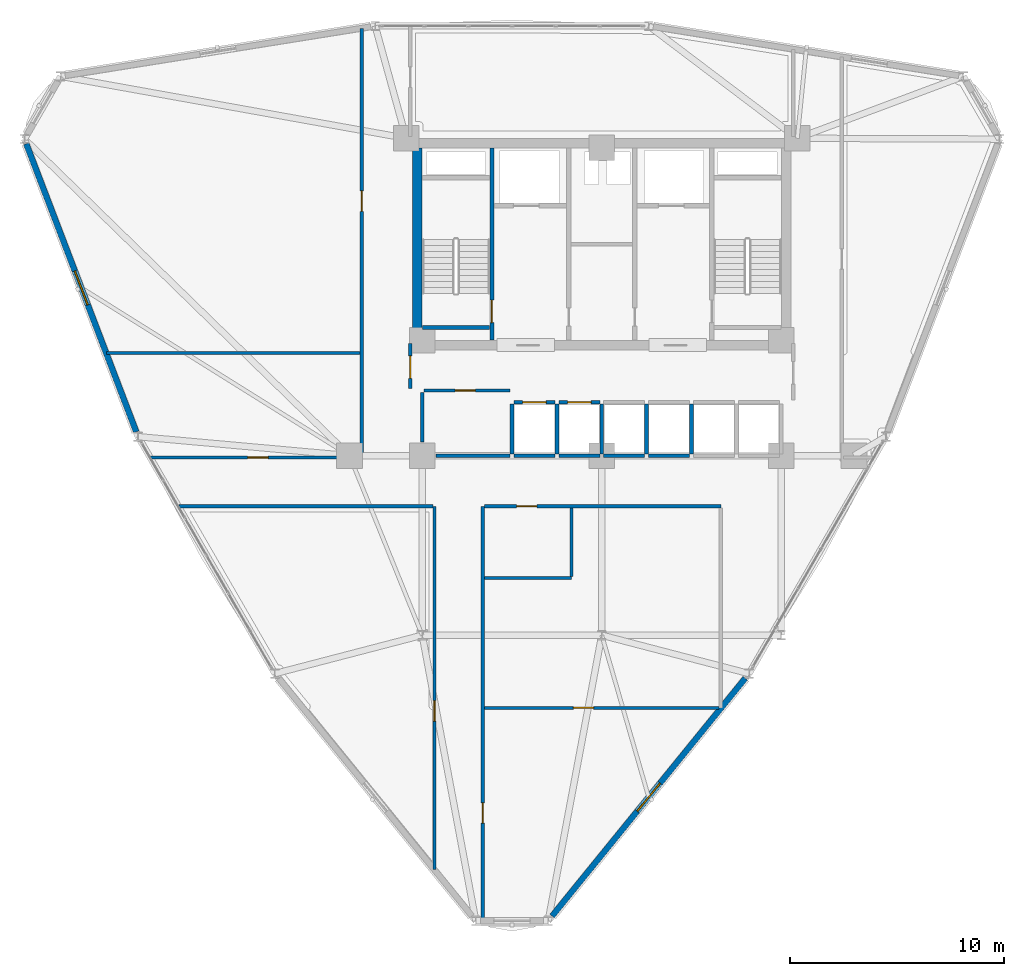
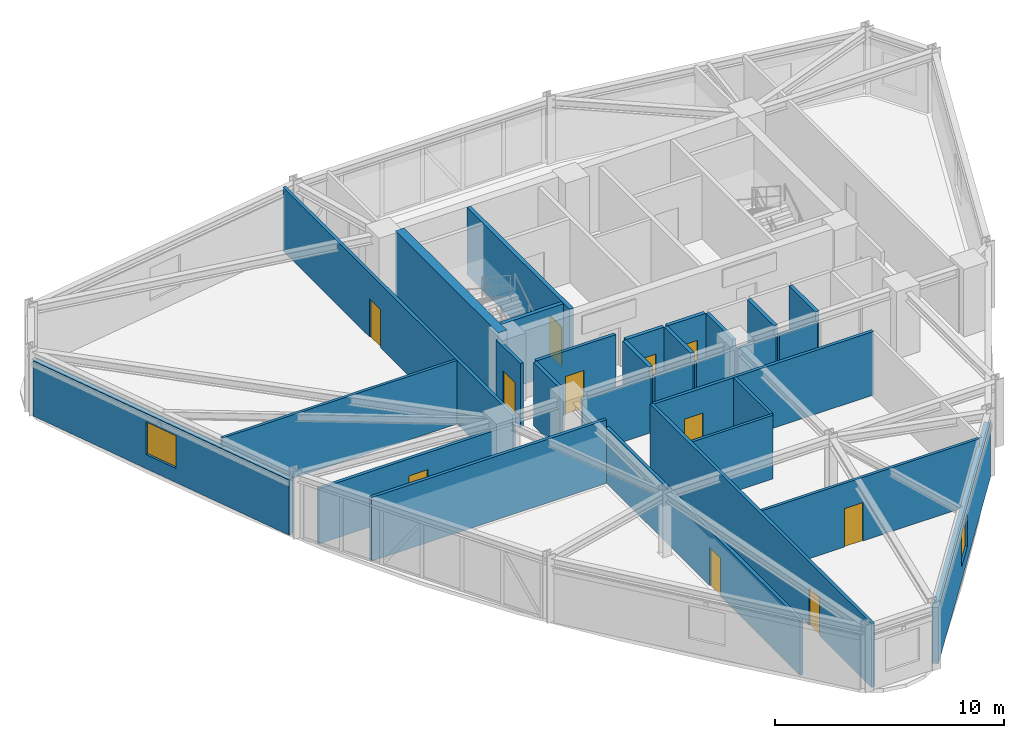
# One storey, part 10 of 15: 30 walls, 11 doors, 2 windows, 13 openings.
"""IFC4 building model written with IfcOpenShell, lengths in metres."""

from ifc_helpers import new_model, si_unit, derived_unit, direction, frame, frame_2d, origin, place, context, subcontext, project, spatial, rectangle, extrude, material, layer, layer_set, type_object, element, fill, save


model = new_model("IFC4")

# Units and contexts
model_context = context("Model", 3, precision=1e-05, world=origin(), true_north=direction((0.0, 1.0)))
body_context = subcontext(model_context, "Body", "Model", "MODEL_VIEW")
ifc_project = project(units=[si_unit("LENGTHUNIT", "METRE"), si_unit("AREAUNIT", "SQUARE_METRE"), si_unit("VOLUMEUNIT", "CUBIC_METRE"), si_unit("PLANEANGLEUNIT", "RADIAN"), si_unit("MASSUNIT", "GRAM", prefix="KILO"), derived_unit("THERMALTRANSMITTANCEUNIT", [(si_unit("POWERUNIT", "WATT"), 1), (si_unit("LENGTHUNIT", "METRE"), -2), (si_unit("THERMODYNAMICTEMPERATUREUNIT", "KELVIN"), -1)])], contexts=[model_context])

# Site, building, storey
site_placement = place(None, origin())
site = spatial("IfcSite", under=ifc_project, at=site_placement, CompositionType="ELEMENT")
building_placement = place(site_placement, origin())
building = spatial("IfcBuilding", under=site, at=building_placement, Name="Korsvarv Bourse and Concert Hall", CompositionType="ELEMENT")
storey_placement = place(building_placement, frame((0.0, 0.0, 157.800048828125)))
storey = spatial("IfcBuildingStorey", under=building, at=storey_placement, Name="L40", CompositionType="ELEMENT", Elevation=157.800048828125)

# Wall, opening, door
ifc_material_1 = material(Name="Concrete C50/60", Category="concrete")
ifc_layer_1 = layer(ifc_material_1, 0.3798828125)
ifc_layer_set_1 = layer_set([ifc_layer_1], Name="Concrete C50/60")
wall_type_1 = type_object("IfcWallType", Name="WL-CORE-380", PredefinedType="SHEAR", material=ifc_layer_set_1)
wall_1_placement = place(storey_placement, frame((30.860107421875, 37.81005859375, 0.0), z_axis=(0.0, 0.0, 1.0), x_axis=(0.0, 1.0, 0.0)))
wall_1 = element("IfcWall", 1, at=wall_1_placement, inside=storey, type_object=wall_type_1, Name="L40 stair shaft structural wall W-L40-ST1-E", PredefinedType="SHEAR", context=body_context, shape_type="SweptSolid", body=[
    extrude(rectangle(XDim=8.97998046875, YDim=0.199951171875, at=frame_2d((4.489990234375, 0.0))), origin(), (0.0, 0.0, 1.0), 3.599853515625),
])
opening_1_placement = place(wall_1_placement, frame((0.820068359375, 0.0, 0.0)))
opening_1 = element("IfcOpeningElement", 2, at=opening_1_placement, cuts=wall_1, Name="Opening D-01", PredefinedType="OPENING", context=body_context, shape_type="SweptSolid", body=[
    extrude(rectangle(XDim=1.050048828125, YDim=2.10009765625, at=frame_2d((0.52490234375, 1.050048828125))), frame((0.0, 0.10986328125, 0.0), z_axis=(0.0, -1.0, 0.0), x_axis=(1.0, 0.0, 0.0)), (0.0, 0.0, 1.0), 0.219970703125),
])
ifc_material_2 = material(Name="Steel S355 fire door", Category="steel")
door_type_1 = type_object("IfcDoorType", Name="DR-FD60", OperationType="NOTDEFINED", PredefinedType="DOOR", material=ifc_material_2)
door_1_placement = place(opening_1_placement, origin())
door_1 = element("IfcDoor", 3, at=door_1_placement, inside=storey, type_object=door_type_1, Name="L40 interior door DR-L40-ST1", OperationType="SINGLE_SWING_LEFT", OverallHeight=2.10009765625, OverallWidth=1.050048828125, PredefinedType="DOOR", context=body_context, shape_type="SweptSolid", body=[
    extrude(rectangle(XDim=1.050048828125, YDim=2.10009765625, at=frame_2d((0.52490234375, 1.050048828125))), frame((0.0, 0.02490234375, 0.0), z_axis=(0.0, -1.0, 0.0), x_axis=(1.0, 0.0, 0.0)), (0.0, 0.0, 1.0), 0.050048828125),
])
fill(opening_1, door_1)

# Walls
wall_2_placement = place(storey_placement, frame((27.610107421875, 38.39990234375, 0.0), z_axis=(0.0, 0.0, 1.0), x_axis=(1.0, 0.0, 0.0)))
element("IfcWall", 4, at=wall_2_placement, inside=storey, type_object=wall_type_1, Name="L40 stair shaft structural wall W-L40-ST1-S", PredefinedType="SHEAR", context=body_context, shape_type="SweptSolid", body=[
    extrude(rectangle(XDim=3.139892578125, YDim=0.199951171875, at=frame_2d((1.56982421875, 0.0))), origin(), (0.0, 0.0, 1.0), 3.599853515625),
])
ifc_material_3 = material(Name="Concrete C55/67", Category="concrete")
ifc_layer_2 = layer(ifc_material_3, 0.449951171875)
ifc_layer_set_2 = layer_set([ifc_layer_2], Name="Concrete C55/67")
wall_type_2 = type_object("IfcWallType", Name="WL-CORE-450", PredefinedType="SHEAR", material=ifc_layer_set_2)
wall_3_placement = place(storey_placement, frame((27.375, 37.800048828125, 0.0), z_axis=(0.0, 0.0, 1.0), x_axis=(0.0, 1.0, 0.0)))
element("IfcWall", 5, at=wall_3_placement, inside=storey, type_object=wall_type_2, Name="L40 West Core Shear Wall", PredefinedType="SHEAR", context=body_context, shape_type="SweptSolid", body=[
    extrude(rectangle(XDim=9.0, YDim=0.449951171875, at=frame_2d((4.5, 0.0))), origin(), (0.0, 0.0, 1.0), 3.599853515625),
])

# Wall, opening, window
ifc_material_4 = material(Name="Precast concrete C45/55 with fluted terracotta pier", Category="concrete")
ifc_layer_3 = layer(ifc_material_4, 0.280029296875)
ifc_layer_set_3 = layer_set([ifc_layer_3], Name="Precast concrete C45/55 with fluted terracotta pier")
wall_type_3 = type_object("IfcWallType", Name="WL-EXT-TC2", PredefinedType="SOLIDWALL", material=ifc_layer_set_3)
wall_4_placement = place(storey_placement, frame((9.07080078125, 46.991455078125, 0.0), z_axis=(0.0, 0.0, 1.0), x_axis=(0.356763590825, -0.934194701474, 0.0)))
wall_4 = element("IfcWall", 6, at=wall_4_placement, inside=storey, type_object=wall_type_3, Name="L40 terracotta exterior wall EW-L40-B06", PredefinedType="SOLIDWALL", context=body_context, shape_type="SweptSolid", body=[
    extrude(rectangle(XDim=14.42822265625, YDim=0.280029296875, at=frame_2d((7.214111328125, 0.0))), origin(), (0.0, 0.0, 1.0), 2.949951171875),
])
opening_2_placement = place(wall_4_placement, frame((6.364013671875, 0.0, 0.75)))
opening_2 = element("IfcOpeningElement", 7, at=opening_2_placement, cuts=wall_4, Name="Opening W-01", PredefinedType="OPENING", context=body_context, shape_type="SweptSolid", body=[
    extrude(rectangle(XDim=1.699951171875, YDim=1.75, at=frame_2d((0.85009765625, 0.875))), frame((0.0, 0.14990234375, 0.0), z_axis=(0.0, -1.0, 0.0), x_axis=(1.0, 0.0, 0.0)), (0.0, 0.0, 1.0), 0.300048828125),
])
ifc_material_5 = material(Name="Thermally broken aluminium frame with triple low-E glass", Category="glass")
window_type = type_object("IfcWindowType", Name="WIN-TW1", PartitioningType="SINGLE_PANEL", PredefinedType="WINDOW", material=ifc_material_5)
window_1_placement = place(opening_2_placement, origin())
window_1 = element("IfcWindow", 8, at=window_1_placement, inside=storey, type_object=window_type, Name="L40 punched facade window W-01", OverallHeight=1.75, OverallWidth=1.699951171875, PartitioningType="SINGLE_PANEL", PredefinedType="WINDOW", context=body_context, shape_type="SweptSolid", body=[
    extrude(rectangle(XDim=1.699951171875, YDim=1.75, at=frame_2d((0.85009765625, 0.875))), frame((0.0, 0.030029296875, 0.0), z_axis=(0.0, -1.0, 0.0), x_axis=(1.0, 0.0, 0.0)), (0.0, 0.0, 1.0), 0.06005859375),
])
fill(opening_2, window_1)

wall_5_placement = place(storey_placement, frame((33.676513671875, 10.85791015625, 0.0), z_axis=(0.0, 0.0, 1.0), x_axis=(0.630649703469, 0.776067620452, 0.0)))
wall_5 = element("IfcWall", 9, at=wall_5_placement, inside=storey, type_object=wall_type_3, Name="L40 terracotta exterior wall EW-L40-B10", PredefinedType="SOLIDWALL", context=body_context, shape_type="SweptSolid", body=[
    extrude(rectangle(XDim=14.3310546875, YDim=0.280029296875, at=frame_2d((7.16552734375, 0.0))), origin(), (0.0, 0.0, 1.0), 3.0),
])
opening_3_placement = place(wall_5_placement, frame((6.315673828125, 0.0, 0.75)))
opening_3 = element("IfcOpeningElement", 10, at=opening_3_placement, cuts=wall_5, Name="Opening W-01", PredefinedType="OPENING", context=body_context, shape_type="SweptSolid", body=[
    extrude(rectangle(XDim=1.699951171875, YDim=1.75, at=frame_2d((0.85009765625, 0.875))), frame((0.0, 0.14990234375, 0.0), z_axis=(0.0, -1.0, 0.0), x_axis=(1.0, 0.0, 0.0)), (0.0, 0.0, 1.0), 0.300048828125),
])
window_2_placement = place(opening_3_placement, origin())
window_2 = element("IfcWindow", 11, at=window_2_placement, inside=storey, type_object=window_type, Name="L40 punched facade window W-01", OverallHeight=1.75, OverallWidth=1.699951171875, PartitioningType="SINGLE_PANEL", PredefinedType="WINDOW", context=body_context, shape_type="SweptSolid", body=[
    extrude(rectangle(XDim=1.699951171875, YDim=1.75, at=frame_2d((0.85009765625, 0.875))), frame((0.0, 0.030029296875, 0.0), z_axis=(0.0, -1.0, 0.0), x_axis=(1.0, 0.0, 0.0)), (0.0, 0.0, 1.0), 0.06005859375),
])
fill(opening_3, window_2)

# Walls
ifc_material_6 = material(Name="Double-stud fire-rated acoustic partition", Category="gypsum")
ifc_layer_4 = layer(ifc_material_6, 0.159912109375)
ifc_layer_set_4 = layer_set([ifc_layer_4], Name="Double-stud fire-rated acoustic partition")
wall_type_4 = type_object("IfcWallType", Name="WL-INT-EI60", PredefinedType="PARTITIONING", material=ifc_layer_set_4)
wall_6_placement = place(storey_placement, frame((28.25, 32.39990234375, 0.0), z_axis=(0.0, 0.0, 1.0), x_axis=(1.0, 0.0, 0.0)))
element("IfcWall", 12, at=wall_6_placement, inside=storey, type_object=wall_type_4, Name="L40 interior partition wall W-L40-FRD-S", PredefinedType="PARTITIONING", context=body_context, shape_type="SweptSolid", body=[
    extrude(rectangle(XDim=3.449951171875, YDim=0.159912109375, at=frame_2d((1.72509765625, 0.0))), origin(), (0.0, 0.0, 1.0), 2.949951171875),
])
wall_7_placement = place(storey_placement, frame((27.60009765625, 33.050048828125, 0.0), z_axis=(0.0, 0.0, 1.0), x_axis=(0.0, 1.0, 0.0)))
element("IfcWall", 13, at=wall_7_placement, inside=storey, type_object=wall_type_4, Name="L40 interior partition wall W-L40-FRD-W", PredefinedType="PARTITIONING", context=body_context, shape_type="SweptSolid", body=[
    extrude(rectangle(XDim=2.31005859375, YDim=0.159912109375, at=frame_2d((1.155029296875, 0.0))), origin(), (0.0, 0.0, 1.0), 3.39990234375),
])

# Wall, opening, door
wall_8_placement = place(storey_placement, frame((27.68994140625, 35.449951171875, 0.0), z_axis=(0.0, 0.0, 1.0), x_axis=(1.0, 0.0, 0.0)))
wall_8 = element("IfcWall", 14, at=wall_8_placement, inside=storey, type_object=wall_type_4, Name="L40 interior partition wall W-L40-FRD-N", PredefinedType="PARTITIONING", context=body_context, shape_type="SweptSolid", body=[
    extrude(rectangle(XDim=4.010009765625, YDim=0.159912109375, at=frame_2d((2.0048828125, 0.0))), origin(), (0.0, 0.0, 1.0), 3.39990234375),
])
opening_4_placement = place(wall_8_placement, frame((1.449951171875, 0.0, 0.0)))
opening_4 = element("IfcOpeningElement", 15, at=opening_4_placement, cuts=wall_8, Name="Opening D-03", PredefinedType="OPENING", context=body_context, shape_type="SweptSolid", body=[
    extrude(rectangle(XDim=0.949951171875, YDim=2.050048828125, at=frame_2d((0.47509765625, 1.02490234375))), frame((0.0, 0.08984375, 0.0), z_axis=(0.0, -1.0, 0.0), x_axis=(1.0, 0.0, 0.0)), (0.0, 0.0, 1.0), 0.179931640625),
])
ifc_material_7 = material(Name="Nordic oak acoustic office door", Category="wood")
door_type_2 = type_object("IfcDoorType", Name="DR-INT-1", OperationType="NOTDEFINED", PredefinedType="DOOR", material=ifc_material_7)
door_2_placement = place(opening_4_placement, origin())
door_2 = element("IfcDoor", 16, at=door_2_placement, inside=storey, type_object=door_type_2, Name="L40 interior door DR-L40-FRDN1", OperationType="SINGLE_SWING_LEFT", OverallHeight=2.050048828125, OverallWidth=0.949951171875, PredefinedType="DOOR", context=body_context, shape_type="SweptSolid", body=[
    extrude(rectangle(XDim=0.949951171875, YDim=2.050048828125, at=frame_2d((0.47509765625, 1.02490234375))), frame((0.0, 0.02490234375, 0.0), z_axis=(0.0, -1.0, 0.0), x_axis=(1.0, 0.0, 0.0)), (0.0, 0.0, 1.0), 0.050048828125),
])
fill(opening_4, door_2)

wall_9_placement = place(storey_placement, frame((27.0400390625, 35.5400390625, 0.0), z_axis=(0.0, 0.0, 1.0), x_axis=(0.0, 1.0, 0.0)))
wall_9 = element("IfcWall", 17, at=wall_9_placement, inside=storey, type_object=wall_type_4, Name="L40 interior partition wall W-L40-LOB-WL", PredefinedType="PARTITIONING", context=body_context, shape_type="SweptSolid", body=[
    extrude(rectangle(XDim=2.10986328125, YDim=0.159912109375, at=frame_2d((1.054931640625, 0.0))), origin(), (0.0, 0.0, 1.0), 3.39990234375),
])
opening_5_placement = place(wall_9_placement, frame((0.47998046875, 0.0, 0.0)))
opening_5 = element("IfcOpeningElement", 18, at=opening_5_placement, cuts=wall_9, Name="Opening D-01", PredefinedType="OPENING", context=body_context, shape_type="SweptSolid", body=[
    extrude(rectangle(XDim=1.050048828125, YDim=2.10009765625, at=frame_2d((0.52490234375, 1.050048828125))), frame((0.0, 0.08984375, 0.0), z_axis=(0.0, -1.0, 0.0), x_axis=(1.0, 0.0, 0.0)), (0.0, 0.0, 1.0), 0.179931640625),
])
door_3_placement = place(opening_5_placement, frame((1.050048828125, 0.0, 0.0), z_axis=(0.0, 0.0, 1.0), x_axis=(-1.0, 0.0, 0.0)))
door_3 = element("IfcDoor", 19, at=door_3_placement, inside=storey, type_object=door_type_1, Name="L40 interior door DR-L40-LOBW", OperationType="SINGLE_SWING_RIGHT", OverallHeight=2.10009765625, OverallWidth=1.050048828125, PredefinedType="DOOR", context=body_context, shape_type="SweptSolid", body=[
    extrude(rectangle(XDim=1.050048828125, YDim=2.10009765625, at=frame_2d((0.52490234375, 1.050048828125))), frame((0.0, 0.02490234375, 0.0), z_axis=(0.0, -1.0, 0.0), x_axis=(1.0, 0.0, 0.0)), (0.0, 0.0, 1.0), 0.050048828125),
])
fill(opening_5, door_3)

wall_10_placement = place(storey_placement, frame((24.77490234375, 32.31005859375, 0.0), z_axis=(0.0, 0.0, 1.0), x_axis=(0.0, 1.0, 0.0)))
wall_10 = element("IfcWall", 20, at=wall_10_placement, inside=storey, type_object=wall_type_4, Name="L40 interior partition wall W-L40-TCOR-01", PredefinedType="PARTITIONING", context=body_context, shape_type="SweptSolid", body=[
    extrude(rectangle(XDim=20.07763671875, YDim=0.159912109375, at=frame_2d((10.038818359375, 0.0))), origin(), (0.0, 0.0, 1.0), 3.39990234375),
])
opening_6_placement = place(wall_10_placement, frame((11.525390625, 0.0, 0.0)))
opening_6 = element("IfcOpeningElement", 21, at=opening_6_placement, cuts=wall_10, Name="Opening D-02", PredefinedType="OPENING", context=body_context, shape_type="SweptSolid", body=[
    extrude(rectangle(XDim=0.949951171875, YDim=2.050048828125, at=frame_2d((0.47509765625, 1.02490234375))), frame((0.0, 0.08984375, 0.0), z_axis=(0.0, -1.0, 0.0), x_axis=(1.0, 0.0, 0.0)), (0.0, 0.0, 1.0), 0.179931640625),
])
ifc_material_8 = material(Name="Timber and steel acoustic fire door", Category="wood")
door_type_3 = type_object("IfcDoorType", Name="DR-FD30", OperationType="NOTDEFINED", PredefinedType="DOOR", material=ifc_material_8)
door_4_placement = place(opening_6_placement, origin())
door_4 = element("IfcDoor", 22, at=door_4_placement, inside=storey, type_object=door_type_3, Name="L40 interior door DR-L40-TCOR-S067", OperationType="SINGLE_SWING_RIGHT", OverallHeight=2.050048828125, OverallWidth=0.949951171875, PredefinedType="DOOR", context=body_context, shape_type="SweptSolid", body=[
    extrude(rectangle(XDim=0.949951171875, YDim=2.050048828125, at=frame_2d((0.47509765625, 1.02490234375))), frame((0.0, 0.02490234375, 0.0), z_axis=(0.0, -1.0, 0.0), x_axis=(1.0, 0.0, 0.0)), (0.0, 0.0, 1.0), 0.050048828125),
])
fill(opening_6, door_4)

wall_11_placement = place(storey_placement, frame((30.425048828125, 10.6552734375, 0.0), z_axis=(0.0, 0.0, 1.0), x_axis=(0.0, 1.0, 0.0)))
wall_11 = element("IfcWall", 23, at=wall_11_placement, inside=storey, type_object=wall_type_4, Name="L40 interior partition wall W-L40-TCOR-02", PredefinedType="PARTITIONING", context=body_context, shape_type="SweptSolid", body=[
    extrude(rectangle(XDim=19.374755859375, YDim=0.159912109375, at=frame_2d((9.6875, 0.0))), origin(), (0.0, 0.0, 1.0), 3.39990234375),
])
opening_7_placement = place(wall_11_placement, frame((4.552490234375, 0.0, 0.0)))
opening_7 = element("IfcOpeningElement", 24, at=opening_7_placement, cuts=wall_11, Name="Opening D-02", PredefinedType="OPENING", context=body_context, shape_type="SweptSolid", body=[
    extrude(rectangle(XDim=0.949951171875, YDim=2.050048828125, at=frame_2d((0.47509765625, 1.02490234375))), frame((0.0, 0.08984375, 0.0), z_axis=(0.0, -1.0, 0.0), x_axis=(1.0, 0.0, 0.0)), (0.0, 0.0, 1.0), 0.179931640625),
])
door_5_placement = place(opening_7_placement, origin())
door_5 = element("IfcDoor", 25, at=door_5_placement, inside=storey, type_object=door_type_3, Name="L40 interior door DR-L40-TCOR-S023", OperationType="SINGLE_SWING_LEFT", OverallHeight=2.050048828125, OverallWidth=0.949951171875, PredefinedType="DOOR", context=body_context, shape_type="SweptSolid", body=[
    extrude(rectangle(XDim=0.949951171875, YDim=2.050048828125, at=frame_2d((0.47509765625, 1.02490234375))), frame((0.0, 0.02490234375, 0.0), z_axis=(0.0, -1.0, 0.0), x_axis=(1.0, 0.0, 0.0)), (0.0, 0.0, 1.0), 0.050048828125),
])
fill(opening_7, door_5)

wall_12_placement = place(storey_placement, frame((28.175048828125, 13.029541015625, 0.0), z_axis=(0.0, 0.0, 1.0), x_axis=(0.0, 1.0, 0.0)))
wall_12 = element("IfcWall", 26, at=wall_12_placement, inside=storey, type_object=wall_type_4, Name="L40 interior partition wall W-L40-TCOR-04", PredefinedType="PARTITIONING", context=body_context, shape_type="SweptSolid", body=[
    extrude(rectangle(XDim=17.00048828125, YDim=0.159912109375, at=frame_2d((8.500244140625, 0.0))), origin(), (0.0, 0.0, 1.0), 2.949951171875),
])
opening_8_placement = place(wall_12_placement, frame((6.955078125, 0.0, 0.0)))
opening_8 = element("IfcOpeningElement", 27, at=opening_8_placement, cuts=wall_12, Name="Opening D-02", PredefinedType="OPENING", context=body_context, shape_type="SweptSolid", body=[
    extrude(rectangle(XDim=0.949951171875, YDim=2.050048828125, at=frame_2d((0.47509765625, 1.02490234375))), frame((0.0, 0.08984375, 0.0), z_axis=(0.0, -1.0, 0.0), x_axis=(1.0, 0.0, 0.0)), (0.0, 0.0, 1.0), 0.179931640625),
])
door_6_placement = place(opening_8_placement, origin())
door_6 = element("IfcDoor", 28, at=door_6_placement, inside=storey, type_object=door_type_3, Name="L40 interior door DR-L40-TCOR-S035", OperationType="SINGLE_SWING_LEFT", OverallHeight=2.050048828125, OverallWidth=0.949951171875, PredefinedType="DOOR", context=body_context, shape_type="SweptSolid", body=[
    extrude(rectangle(XDim=0.949951171875, YDim=2.050048828125, at=frame_2d((0.47509765625, 1.02490234375))), frame((0.0, 0.02490234375, 0.0), z_axis=(0.0, -1.0, 0.0), x_axis=(1.0, 0.0, 0.0)), (0.0, 0.0, 1.0), 0.050048828125),
])
fill(opening_8, door_6)

# Wall
wall_13_placement = place(storey_placement, frame((16.20849609375, 30.02490234375, 0.0), z_axis=(0.0, 0.0, 1.0), x_axis=(1.0, 0.0, 0.0)))
element("IfcWall", 29, at=wall_13_placement, inside=storey, type_object=wall_type_4, Name="L40 interior partition wall W-L40-TCOR-05", PredefinedType="PARTITIONING", context=body_context, shape_type="SweptSolid", body=[
    extrude(rectangle(XDim=11.884521484375, YDim=0.159912109375, at=frame_2d((5.9423828125, 0.0))), origin(), (0.0, 0.0, 1.0), 3.39990234375),
])

# Wall, opening, door
wall_14_placement = place(storey_placement, frame((30.507080078125, 30.02490234375, 0.0), z_axis=(0.0, 0.0, 1.0), x_axis=(1.0, 0.0, 0.0)))
wall_14 = element("IfcWall", 30, at=wall_14_placement, inside=storey, type_object=wall_type_4, Name="L40 interior partition wall W-L40-TCOR-06", PredefinedType="PARTITIONING", context=body_context, shape_type="SweptSolid", body=[
    extrude(rectangle(XDim=11.072998046875, YDim=0.159912109375, at=frame_2d((5.53662109375, 0.0))), origin(), (0.0, 0.0, 1.0), 3.39990234375),
])
opening_9_placement = place(wall_14_placement, frame((1.51220703125, 0.0, 0.0)))
opening_9 = element("IfcOpeningElement", 31, at=opening_9_placement, cuts=wall_14, Name="Opening D-02", PredefinedType="OPENING", context=body_context, shape_type="SweptSolid", body=[
    extrude(rectangle(XDim=0.949951171875, YDim=2.050048828125, at=frame_2d((0.47509765625, 1.02490234375))), frame((0.0, 0.08984375, 0.0), z_axis=(0.0, -1.0, 0.0), x_axis=(1.0, 0.0, 0.0)), (0.0, 0.0, 1.0), 0.179931640625),
])
door_7_placement = place(opening_9_placement, origin())
door_7 = element("IfcDoor", 32, at=door_7_placement, inside=storey, type_object=door_type_3, Name="L40 interior door DR-L40-TCOR-RWC", OperationType="SINGLE_SWING_RIGHT", OverallHeight=2.050048828125, OverallWidth=0.949951171875, PredefinedType="DOOR", context=body_context, shape_type="SweptSolid", body=[
    extrude(rectangle(XDim=0.949951171875, YDim=2.050048828125, at=frame_2d((0.47509765625, 1.02490234375))), frame((0.0, 0.02490234375, 0.0), z_axis=(0.0, -1.0, 0.0), x_axis=(1.0, 0.0, 0.0)), (0.0, 0.0, 1.0), 0.050048828125),
])
fill(opening_9, door_7)

wall_15_placement = place(storey_placement, frame((14.88623046875, 32.31494140625, 0.0), z_axis=(0.0, 0.0, 1.0), x_axis=(1.0, 0.0, 0.0)))
wall_15 = element("IfcWall", 33, at=wall_15_placement, inside=storey, type_object=wall_type_4, Name="L40 interior partition wall W-L40-TCOR-07", PredefinedType="PARTITIONING", context=body_context, shape_type="SweptSolid", body=[
    extrude(rectangle(XDim=9.806884765625, YDim=0.159912109375, at=frame_2d((4.9033203125, 0.0))), origin(), (0.0, 0.0, 1.0), 2.949951171875),
])
opening_10_placement = place(wall_15_placement, frame((4.54736328125, 0.0, 0.0)))
opening_10 = element("IfcOpeningElement", 34, at=opening_10_placement, cuts=wall_15, Name="Opening D-02", PredefinedType="OPENING", context=body_context, shape_type="SweptSolid", body=[
    extrude(rectangle(XDim=0.949951171875, YDim=2.050048828125, at=frame_2d((0.47509765625, 1.02490234375))), frame((0.0, 0.08984375, 0.0), z_axis=(0.0, -1.0, 0.0), x_axis=(1.0, 0.0, 0.0)), (0.0, 0.0, 1.0), 0.179931640625),
])
door_8_placement = place(opening_10_placement, origin())
door_8 = element("IfcDoor", 35, at=door_8_placement, inside=storey, type_object=door_type_3, Name="L40 interior door DR-L40-TCOR-S056", OperationType="SINGLE_SWING_LEFT", OverallHeight=2.050048828125, OverallWidth=0.949951171875, PredefinedType="DOOR", context=body_context, shape_type="SweptSolid", body=[
    extrude(rectangle(XDim=0.949951171875, YDim=2.050048828125, at=frame_2d((0.47509765625, 1.02490234375))), frame((0.0, 0.02490234375, 0.0), z_axis=(0.0, -1.0, 0.0), x_axis=(1.0, 0.0, 0.0)), (0.0, 0.0, 1.0), 0.050048828125),
])
fill(opening_10, door_8)

ifc_material_9 = material(Name="Gypsum-clad autoclaved concrete shaft wall C30/37", Category="concrete")
ifc_layer_5 = layer(ifc_material_9, 0.179931640625)
ifc_layer_set_5 = layer_set([ifc_layer_5], Name="Gypsum-clad autoclaved concrete shaft wall C30/37")
wall_type_5 = type_object("IfcWallType", Name="WL-INT-EI90", PredefinedType="PARTITIONING", material=ifc_layer_set_5)
wall_16_placement = place(storey_placement, frame((31.889892578125, 34.89990234375, 0.0), z_axis=(0.0, 0.0, 1.0), x_axis=(1.0, 0.0, 0.0)))
wall_16 = element("IfcWall", 36, at=wall_16_placement, inside=storey, type_object=wall_type_5, Name="L40 interior partition wall W-L40-SHFN-PM1", PredefinedType="PARTITIONING", context=body_context, shape_type="SweptSolid", body=[
    extrude(rectangle(XDim=1.920166015625, YDim=0.179931640625, at=frame_2d((0.9599609375, 0.0))), origin(), (0.0, 0.0, 1.0), 3.39990234375),
])
opening_11_placement = place(wall_16_placement, frame((0.409912109375, 0.0, 0.0)))
opening_11 = element("IfcOpeningElement", 37, at=opening_11_placement, cuts=wall_16, Name="Opening LD-2", PredefinedType="OPENING", context=body_context, shape_type="SweptSolid", body=[
    extrude(rectangle(XDim=1.10009765625, YDim=2.10009765625, at=frame_2d((0.550048828125, 1.050048828125))), frame((0.0, 0.10009765625, 0.0), z_axis=(0.0, -1.0, 0.0), x_axis=(1.0, 0.0, 0.0)), (0.0, 0.0, 1.0), 0.199951171875),
])
ifc_material_10 = material(Name="Brushed stainless Steel S355 lift landing door", Category="steel")
door_type_4 = type_object("IfcDoorType", Name="DR-LIFT-P", OperationType="DOUBLE_DOOR_SLIDING", PredefinedType="DOOR", material=ifc_material_10)
door_9_placement = place(opening_11_placement, origin())
door_9 = element("IfcDoor", 38, at=door_9_placement, inside=storey, type_object=door_type_4, Name="L40 lift sliding landing door LD-L40-PM1", OperationType="DOUBLE_DOOR_SLIDING", OverallHeight=2.10009765625, OverallWidth=1.10009765625, PredefinedType="DOOR", context=body_context, shape_type="SweptSolid", body=[
    extrude(rectangle(XDim=1.10009765625, YDim=2.10009765625, at=frame_2d((0.550048828125, 1.050048828125))), frame((0.0, 0.02490234375, 0.0), z_axis=(0.0, -1.0, 0.0), x_axis=(1.0, 0.0, 0.0)), (0.0, 0.0, 1.0), 0.050048828125),
])
fill(opening_11, door_9)

# Walls
wall_17_placement = place(storey_placement, frame((31.889892578125, 32.39990234375, 0.0), z_axis=(0.0, 0.0, 1.0), x_axis=(1.0, 0.0, 0.0)))
element("IfcWall", 39, at=wall_17_placement, inside=storey, type_object=wall_type_5, Name="L40 interior partition wall W-L40-SHFS-PM1", PredefinedType="PARTITIONING", context=body_context, shape_type="SweptSolid", body=[
    extrude(rectangle(XDim=1.920166015625, YDim=0.179931640625, at=frame_2d((0.9599609375, 0.0))), origin(), (0.0, 0.0, 1.0), 2.949951171875),
])
wall_18_placement = place(storey_placement, frame((31.800048828125, 32.489990234375, 0.0), z_axis=(0.0, 0.0, 1.0), x_axis=(0.0, 1.0, 0.0)))
element("IfcWall", 40, at=wall_18_placement, inside=storey, type_object=wall_type_5, Name="L40 interior partition wall W-L40-SHFW-PM1", PredefinedType="PARTITIONING", context=body_context, shape_type="SweptSolid", body=[
    extrude(rectangle(XDim=2.320068359375, YDim=0.179931640625, at=frame_2d((1.16015625, 0.0))), origin(), (0.0, 0.0, 1.0), 3.39990234375),
])

# Wall, opening, door
wall_19_placement = place(storey_placement, frame((33.989990234375, 34.89990234375, 0.0), z_axis=(0.0, 0.0, 1.0), x_axis=(1.0, 0.0, 0.0)))
wall_19 = element("IfcWall", 41, at=wall_19_placement, inside=storey, type_object=wall_type_5, Name="L40 interior partition wall W-L40-SHFN-PM2", PredefinedType="PARTITIONING", context=body_context, shape_type="SweptSolid", body=[
    extrude(rectangle(XDim=1.919921875, YDim=0.179931640625, at=frame_2d((0.9599609375, 0.0))), origin(), (0.0, 0.0, 1.0), 3.39990234375),
])
opening_12_placement = place(wall_19_placement, frame((0.409912109375, 0.0, 0.0)))
opening_12 = element("IfcOpeningElement", 42, at=opening_12_placement, cuts=wall_19, Name="Opening LD-2", PredefinedType="OPENING", context=body_context, shape_type="SweptSolid", body=[
    extrude(rectangle(XDim=1.10009765625, YDim=2.10009765625, at=frame_2d((0.550048828125, 1.050048828125))), frame((0.0, 0.10009765625, 0.0), z_axis=(0.0, -1.0, 0.0), x_axis=(1.0, 0.0, 0.0)), (0.0, 0.0, 1.0), 0.199951171875),
])
door_10_placement = place(opening_12_placement, origin())
door_10 = element("IfcDoor", 43, at=door_10_placement, inside=storey, type_object=door_type_4, Name="L40 lift sliding landing door LD-L40-PM2", OperationType="DOUBLE_DOOR_SLIDING", OverallHeight=2.10009765625, OverallWidth=1.10009765625, PredefinedType="DOOR", context=body_context, shape_type="SweptSolid", body=[
    extrude(rectangle(XDim=1.10009765625, YDim=2.10009765625, at=frame_2d((0.550048828125, 1.050048828125))), frame((0.0, 0.02490234375, 0.0), z_axis=(0.0, -1.0, 0.0), x_axis=(1.0, 0.0, 0.0)), (0.0, 0.0, 1.0), 0.050048828125),
])
fill(opening_12, door_10)

# Walls
wall_20_placement = place(storey_placement, frame((33.989990234375, 32.39990234375, 0.0), z_axis=(0.0, 0.0, 1.0), x_axis=(1.0, 0.0, 0.0)))
element("IfcWall", 44, at=wall_20_placement, inside=storey, type_object=wall_type_5, Name="L40 interior partition wall W-L40-SHFS-PM2", PredefinedType="PARTITIONING", context=body_context, shape_type="SweptSolid", body=[
    extrude(rectangle(XDim=1.919921875, YDim=0.179931640625, at=frame_2d((0.9599609375, 0.0))), origin(), (0.0, 0.0, 1.0), 2.949951171875),
])
wall_21_placement = place(storey_placement, frame((33.89990234375, 32.489990234375, 0.0), z_axis=(0.0, 0.0, 1.0), x_axis=(0.0, 1.0, 0.0)))
element("IfcWall", 45, at=wall_21_placement, inside=storey, type_object=wall_type_5, Name="L40 interior partition wall W-L40-SHFW-PM2", PredefinedType="PARTITIONING", context=body_context, shape_type="SweptSolid", body=[
    extrude(rectangle(XDim=2.320068359375, YDim=0.179931640625, at=frame_2d((1.16015625, 0.0))), origin(), (0.0, 0.0, 1.0), 3.39990234375),
])
wall_22_placement = place(storey_placement, frame((36.090087890625, 32.39990234375, 0.0), z_axis=(0.0, 0.0, 1.0), x_axis=(1.0, 0.0, 0.0)))
element("IfcWall", 46, at=wall_22_placement, inside=storey, type_object=wall_type_5, Name="L40 interior partition wall W-L40-SHFS-PH1", PredefinedType="PARTITIONING", context=body_context, shape_type="SweptSolid", body=[
    extrude(rectangle(XDim=1.919921875, YDim=0.179931640625, at=frame_2d((0.9599609375, 0.0))), origin(), (0.0, 0.0, 1.0), 2.949951171875),
])
wall_23_placement = place(storey_placement, frame((36.0, 32.489990234375, 0.0), z_axis=(0.0, 0.0, 1.0), x_axis=(0.0, 1.0, 0.0)))
element("IfcWall", 47, at=wall_23_placement, inside=storey, type_object=wall_type_5, Name="L40 interior partition wall W-L40-SHFW-PH1", PredefinedType="PARTITIONING", context=body_context, shape_type="SweptSolid", body=[
    extrude(rectangle(XDim=2.320068359375, YDim=0.179931640625, at=frame_2d((1.16015625, 0.0))), origin(), (0.0, 0.0, 1.0), 3.39990234375),
])
wall_24_placement = place(storey_placement, frame((38.18994140625, 32.39990234375, 0.0), z_axis=(0.0, 0.0, 1.0), x_axis=(1.0, 0.0, 0.0)))
element("IfcWall", 48, at=wall_24_placement, inside=storey, type_object=wall_type_5, Name="L40 interior partition wall W-L40-SHFS-PH2", PredefinedType="PARTITIONING", context=body_context, shape_type="SweptSolid", body=[
    extrude(rectangle(XDim=1.920166015625, YDim=0.179931640625, at=frame_2d((0.9599609375, 0.0))), origin(), (0.0, 0.0, 1.0), 2.949951171875),
])
for number, where, z_axis, x_axis, name in (
    (49, (38.10009765625, 32.489990234375, 0.0), (0.0, 0.0, 1.0), (0.0, 1.0, 0.0), "L40 interior partition wall W-L40-SHFW-PH2"),
    (50, (40.199951171875, 32.489990234375, 0.0), (0.0, 0.0, 1.0), (0.0, 1.0, 0.0), "L40 interior partition wall W-L40-SHFW-PO1"),
):
    element("IfcWall", number, at=place(storey_placement, frame(where, z_axis=z_axis, x_axis=x_axis)), inside=storey, type_object=wall_type_5, Name=name, PredefinedType="PARTITIONING", context=body_context, shape_type="SweptSolid", body=[
        extrude(rectangle(XDim=2.320068359375, YDim=0.179931640625, at=frame_2d((1.16015625, 0.0))), origin(), (0.0, 0.0, 1.0), 3.39990234375),
    ])
ifc_material_11 = material(Name="Insulated steel-stud office acoustic partition", Category="gypsum")
ifc_layer_6 = layer(ifc_material_11, 0.139892578125)
ifc_layer_set_6 = layer_set([ifc_layer_6], Name="Insulated steel-stud office acoustic partition")
wall_type_6 = type_object("IfcWallType", Name="WL-INT-P1", PredefinedType="PARTITIONING", material=ifc_layer_set_6)
wall_25_placement = place(storey_placement, frame((12.828125, 37.205078125, 0.0), z_axis=(0.0, 0.0, 1.0), x_axis=(1.0, 0.0, 0.0)))
element("IfcWall", 51, at=wall_25_placement, inside=storey, type_object=wall_type_6, Name="L40 interior partition wall W-L40-TCOR-12", PredefinedType="PARTITIONING", context=body_context, shape_type="SweptSolid", body=[
    extrude(rectangle(XDim=11.864990234375, YDim=0.139892578125, at=frame_2d((5.9326171875, 0.0))), origin(), (0.0, 0.0, 1.0), 3.39990234375),
])

# Wall, opening, door
wall_26_placement = place(storey_placement, frame((30.507080078125, 20.60498046875, 0.0), z_axis=(0.0, 0.0, 1.0), x_axis=(1.0, 0.0, 0.0)))
wall_26 = element("IfcWall", 52, at=wall_26_placement, inside=storey, type_object=wall_type_6, Name="L40 interior partition wall W-L40-TCOR-13", PredefinedType="PARTITIONING", context=body_context, shape_type="SweptSolid", body=[
    extrude(rectangle(XDim=10.98583984375, YDim=0.139892578125, at=frame_2d((5.492919921875, 0.0))), origin(), (0.0, 0.0, 1.0), 3.39990234375),
])
opening_13_placement = place(wall_26_placement, frame((4.163818359375, 0.0, 0.0)))
opening_13 = element("IfcOpeningElement", 53, at=opening_13_placement, cuts=wall_26, Name="Opening D-03", PredefinedType="OPENING", context=body_context, shape_type="SweptSolid", body=[
    extrude(rectangle(XDim=0.949951171875, YDim=2.050048828125, at=frame_2d((0.47509765625, 1.02490234375))), frame((0.0, 0.080078125, 0.0), z_axis=(0.0, -1.0, 0.0), x_axis=(1.0, 0.0, 0.0)), (0.0, 0.0, 1.0), 0.159912109375),
])
door_11_placement = place(opening_13_placement, origin())
door_11 = element("IfcDoor", 54, at=door_11_placement, inside=storey, type_object=door_type_2, Name="L40 interior door DR-L40-TCOR-S014", OperationType="SINGLE_SWING_LEFT", OverallHeight=2.050048828125, OverallWidth=0.949951171875, PredefinedType="DOOR", context=body_context, shape_type="SweptSolid", body=[
    extrude(rectangle(XDim=0.949951171875, YDim=2.050048828125, at=frame_2d((0.47509765625, 1.02490234375))), frame((0.0, 0.02490234375, 0.0), z_axis=(0.0, -1.0, 0.0), x_axis=(1.0, 0.0, 0.0)), (0.0, 0.0, 1.0), 0.050048828125),
])
fill(opening_13, door_11)

# Walls
wall_27_placement = place(storey_placement, frame((30.507080078125, 26.675048828125, 0.0), z_axis=(0.0, 0.0, 1.0), x_axis=(1.0, 0.0, 0.0)))
element("IfcWall", 55, at=wall_27_placement, inside=storey, type_object=wall_type_6, Name="L40 interior partition wall W-L40-TCOR-14", PredefinedType="PARTITIONING", context=body_context, shape_type="SweptSolid", body=[
    extrude(rectangle(XDim=4.072998046875, YDim=0.139892578125, at=frame_2d((2.03662109375, 0.0))), origin(), (0.0, 0.0, 1.0), 3.39990234375),
])
wall_28_placement = place(storey_placement, frame((34.574951171875, 26.7470703125, 0.0), z_axis=(0.0, 0.0, 1.0), x_axis=(0.0, 1.0, 0.0)))
element("IfcWall", 56, at=wall_28_placement, inside=storey, type_object=wall_type_6, Name="L40 interior partition wall W-L40-TCOR-15", PredefinedType="PARTITIONING", context=body_context, shape_type="SweptSolid", body=[
    extrude(rectangle(XDim=3.196044921875, YDim=0.139892578125, at=frame_2d((1.59814453125, 0.0))), origin(), (0.0, 0.0, 1.0), 3.39990234375),
])

save(model, "model.ifc")
